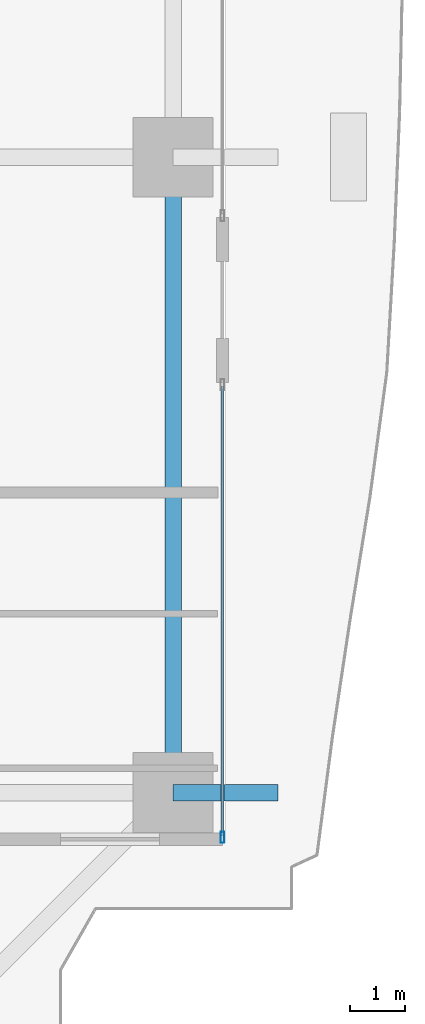
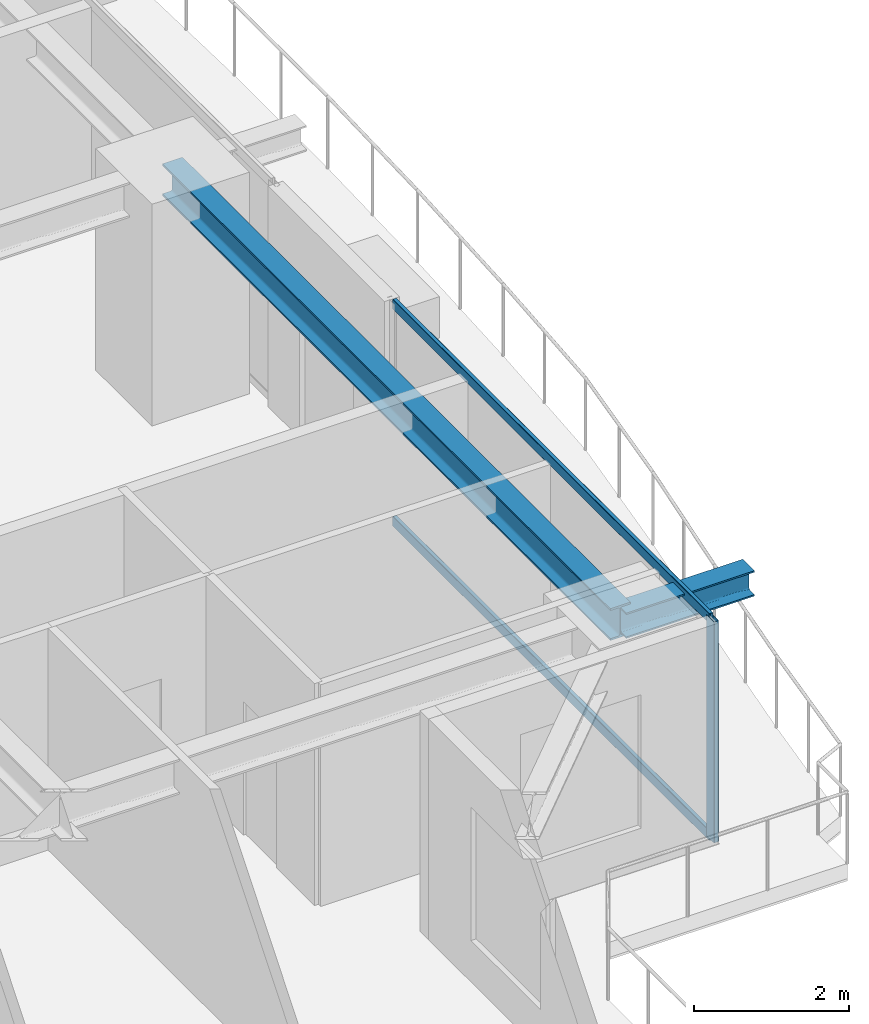
# One storey, part 12 of 38: 3 members, 2 beams, 1 element without a shape of its own.
"""IFC4 building model written with IfcOpenShell, lengths in metres."""

import ifcopenshell
import ifcopenshell.guid

model = None  # the IFC model being written
_history = None  # IfcOwnerHistory: only IFC2X3 demands one
_inside = {}  # id of a spatial element -> (the spatial element, [elements in it])
_under = {}  # id of a project, library or spatial element -> (it, [spatial elements below it])
_declared = {}  # id of a project -> (the project, [libraries it declares])
_typed = {}  # id of a type object -> (the type object, [elements of that type])
_made_of = {}  # id of a material, layer set ... -> (it, [elements and type objects made of it])


def new_model(schema):
    """Start an empty IFC model of exactly this schema.

    Asked for "IFC4X3", IfcOpenShell would pick the latest addendum, in which some entities
    have other attributes; the version numbers below select the first issue.
    IFC2X3 requires an IfcOwnerHistory on every rooted entity: one is made here for all.
    """
    global model, _history
    if schema == "IFC4X3":
        model = ifcopenshell.file(schema_version=(4, 3, 0, 0))
    else:
        model = ifcopenshell.file(schema=schema)
    _inside.clear()
    _under.clear()
    _declared.clear()
    _typed.clear()
    _made_of.clear()
    _history = None
    if model.schema == "IFC2X3":
        org = make("IfcOrganization", Name="unknown")
        user = make(
            "IfcPersonAndOrganization",
            ThePerson=make("IfcPerson", FamilyName="unknown"),
            TheOrganization=org,
        )
        app = make(
            "IfcApplication",
            ApplicationDeveloper=org,
            Version="unknown",
            ApplicationFullName="unknown",
            ApplicationIdentifier="unknown",
        )
        _history = make(
            "IfcOwnerHistory",
            OwningUser=user,
            OwningApplication=app,
            ChangeAction="ADDED",
            CreationDate=0,
        )
    return model


def make(cls, **values):
    """One entity of the class cls with the attributes given. An attribute that is None is left unset."""
    return model.create_entity(
        cls, **{name: value for name, value in values.items() if value is not None}
    )


def rooted(cls, **values):
    """An entity with a GlobalId (a new one), such as an element, a storey or a relation."""
    return make(cls, GlobalId=ifcopenshell.guid.new(), OwnerHistory=_history, **values)


def si_unit(unit_type, name, prefix=None):
    """IfcSIUnit, for example si_unit("LENGTHUNIT", "METRE", prefix="MILLI")."""
    return make("IfcSIUnit", UnitType=unit_type, Prefix=prefix, Name=name)


def assignment(units):
    """IfcUnitAssignment: the units of a project."""
    return None if units is None else make("IfcUnitAssignment", Units=units)


def point(xyz):
    """IfcCartesianPoint."""
    return None if xyz is None else make("IfcCartesianPoint", Coordinates=xyz)


def direction(xyz):
    """IfcDirection."""
    return None if xyz is None else make("IfcDirection", DirectionRatios=xyz)


def frame(location, z_axis=None, x_axis=None):
    """IfcAxis2Placement3D, a coordinate frame: its origin and axes. An axis left out is left unset."""
    return make(
        "IfcAxis2Placement3D",
        Location=point(location),
        Axis=direction(z_axis),
        RefDirection=direction(x_axis),
    )


def frame_2d(location, x_axis=None):
    """IfcAxis2Placement2D, a coordinate frame in the plane: its origin and x axis."""
    return make(
        "IfcAxis2Placement2D", Location=point(location), RefDirection=direction(x_axis)
    )


def origin():
    """The frame at (0, 0, 0) with its axes left unset."""
    return frame((0.0, 0.0, 0.0))


def origin_2d():
    """The frame at (0, 0) in the plane with its x axis left unset."""
    return frame_2d((0.0, 0.0))


def place(relative_to, where):
    """IfcLocalPlacement: puts the frame where relative to a parent placement (None: the world)."""
    return make(
        "IfcLocalPlacement", PlacementRelTo=relative_to, RelativePlacement=where
    )


def context(
    kind, dimensions, precision=None, world=None, true_north=None, identifier=None
):
    """IfcGeometricRepresentationContext, for example the 3D "Model" context."""
    return make(
        "IfcGeometricRepresentationContext",
        ContextIdentifier=identifier,
        ContextType=kind,
        CoordinateSpaceDimension=dimensions,
        Precision=precision,
        WorldCoordinateSystem=world,
        TrueNorth=true_north,
    )


def subcontext(parent, identifier, kind, view, scale=None):
    """IfcGeometricRepresentationSubContext, for example "Body" below "Model"."""
    return make(
        "IfcGeometricRepresentationSubContext",
        ContextIdentifier=identifier,
        ContextType=kind,
        ParentContext=parent,
        TargetScale=scale,
        TargetView=view,
    )


def project(units=None, contexts=None):
    """IfcProject with its units and contexts."""
    return rooted(
        "IfcProject",
        Name="project",
        RepresentationContexts=contexts,
        UnitsInContext=assignment(units),
    )


def spatial(cls, under=None, at=None, **own):
    """A site, building, storey or space (cls), placed at a placement, below another one or the project."""
    s = rooted(cls, ObjectPlacement=at, **own)
    if under is not None:
        _under.setdefault(under.id(), (under, []))[1].append(s)
    return s


def profile(cls, at=None, kind="AREA", **sizes):
    """A parametric profile (cls). Its sizes go by their IFC names, for example OverallWidth=200.0."""
    return make(cls, ProfileType=kind, Position=at, **sizes)


def hollow_rectangle(**sizes):
    """IfcRectangleHollowProfileDef."""
    return profile("IfcRectangleHollowProfileDef", **sizes)


def i_section(**sizes):
    """IfcIShapeProfileDef."""
    return profile("IfcIShapeProfileDef", **sizes)


def extrude(swept, where, along, depth):
    """IfcExtrudedAreaSolid: the profile swept, set in the frame where, extruded along a direction by depth."""
    return make(
        "IfcExtrudedAreaSolid",
        SweptArea=swept,
        Position=where,
        ExtrudedDirection=direction(along),
        Depth=depth,
    )


def shape(context_of_items, identifier, shape_type, items):
    """IfcShapeRepresentation: the items that make up one representation, for example the "Body"."""
    return make(
        "IfcShapeRepresentation",
        ContextOfItems=context_of_items,
        RepresentationIdentifier=identifier,
        RepresentationType=shape_type,
        Items=items,
    )


def source(mapping_origin, context_of_items, identifier, shape_type, items):
    """IfcRepresentationMap: a shape defined once, which mapped items show again and again."""
    return make(
        "IfcRepresentationMap",
        MappingOrigin=mapping_origin,
        MappedRepresentation=shape(context_of_items, identifier, shape_type, items),
    )


def transform(
    local_origin,
    x_axis=None,
    y_axis=None,
    z_axis=None,
    scale=None,
    scale2=None,
    scale3=None,
    uniform=True,
):
    """IfcCartesianTransformationOperator3D, or its non-uniform kind. x_axis, y_axis, z_axis: its Axis1, 2, 3."""
    if uniform:
        return make(
            "IfcCartesianTransformationOperator3D",
            Axis1=direction(x_axis),
            Axis2=direction(y_axis),
            LocalOrigin=point(local_origin),
            Scale=scale,
            Axis3=direction(z_axis),
        )
    return make(
        "IfcCartesianTransformationOperator3DnonUniform",
        Axis1=direction(x_axis),
        Axis2=direction(y_axis),
        LocalOrigin=point(local_origin),
        Scale=scale,
        Axis3=direction(z_axis),
        Scale2=scale2,
        Scale3=scale3,
    )


def mapped(mapping_source, mapping_target):
    """IfcMappedItem: shows the shape of a source again, moved by a transform."""
    return make(
        "IfcMappedItem", MappingSource=mapping_source, MappingTarget=mapping_target
    )


def material(Name=None, Category=None):
    """IfcMaterial."""
    return make("IfcMaterial", Name=Name, Category=Category)


def layer(
    of_material, thickness, ventilated=None, Name=None, Category=None, Priority=None
):
    """IfcMaterialLayer: one layer of a wall or slab, of a material (None: an air gap)."""
    return make(
        "IfcMaterialLayer",
        Material=of_material,
        LayerThickness=thickness,
        IsVentilated=ventilated,
        Name=Name,
        Category=Category,
        Priority=Priority,
    )


def layer_set(layers, Name=None):
    """IfcMaterialLayerSet."""
    return make("IfcMaterialLayerSet", MaterialLayers=layers, LayerSetName=Name)


def material_profile(
    of_material, cross_section, Name=None, Category=None, Priority=None
):
    """IfcMaterialProfile: a cross section and its material."""
    return make(
        "IfcMaterialProfile",
        Name=Name,
        Material=of_material,
        Profile=cross_section,
        Priority=Priority,
        Category=Category,
    )


def profile_set(profiles, Name=None, composite=None):
    """IfcMaterialProfileSet."""
    return make(
        "IfcMaterialProfileSet",
        Name=Name,
        MaterialProfiles=profiles,
        CompositeProfile=composite,
    )


def made_of(thing, what):
    """Note that an element or type object is made of a material, layer set ...; save() writes the relation."""
    if what is not None:
        _made_of.setdefault(what.id(), (what, []))[1].append(thing)
    return thing


def type_object(cls, material=None, **own):
    """A type object (cls), such as IfcWallType, which elements share."""
    return made_of(rooted(cls, **own), material)


def element(
    cls,
    number,
    at=None,
    inside=None,
    cuts=None,
    type_object=None,
    material=None,
    context=None,
    identifier="Body",
    shape_type=None,
    held_by="IfcProductDefinitionShape",
    body=None,
    shapes=None,
    **own,
):
    """One element of the class cls, such as IfcWall. Its Tag is "e" and its number.

    at: its placement. inside: the storey or other place that contains it. cuts: it is an
    opening in that element (IfcRelVoidsElement). A single representation is given by context,
    identifier, shape_type and body (its items); several are given by shapes. held_by: the class
    of the entity that holds the representations. save() writes the other relations.
    """
    e = rooted(cls, Tag="e%d" % number, ObjectPlacement=at, **own)
    if body is not None:
        shapes = [shape(context, identifier, shape_type, body)]
    if shapes is not None:
        e.Representation = make(held_by, Representations=shapes)
    if inside is not None:
        _inside.setdefault(inside.id(), (inside, []))[1].append(e)
    if cuts is not None:
        rooted(
            "IfcRelVoidsElement", RelatingBuildingElement=cuts, RelatedOpeningElement=e
        )
    if type_object is not None:
        _typed.setdefault(type_object.id(), (type_object, []))[1].append(e)
    return made_of(e, material)


def aggregate(whole, parts):
    """IfcRelAggregates: a whole, such as a stair, and the parts it consists of."""
    return rooted("IfcRelAggregates", RelatingObject=whole, RelatedObjects=parts)


def save(model, path):
    """Write the relations noted so far, then the file.

    IfcRelAggregates (storeys below a building ...), IfcRelContainedInSpatialStructure (elements
    in a storey), IfcRelDefinesByType, IfcRelAssociatesMaterial and IfcRelDeclares: one each for
    every whole, place, type object, material and project.
    """
    for whole, parts in _under.values():
        aggregate(whole, parts)
    for where, things in _inside.values():
        rooted(
            "IfcRelContainedInSpatialStructure",
            RelatedElements=things,
            RelatingStructure=where,
        )
    for kind, things in _typed.values():
        rooted("IfcRelDefinesByType", RelatedObjects=things, RelatingType=kind)
    for what, things in _made_of.values():
        rooted("IfcRelAssociatesMaterial", RelatedObjects=things, RelatingMaterial=what)
    for by, libraries in _declared.values():
        rooted("IfcRelDeclares", RelatingContext=by, RelatedDefinitions=libraries)
    model.write(path)


model = new_model("IFC4")

# Units and contexts
model_context = context("Model", 3, precision=1e-05, world=origin(), true_north=direction((0.0, 1.0)))
body_context = subcontext(model_context, "Body", "Model", "MODEL_VIEW")
ifc_project = project(units=[si_unit("LENGTHUNIT", "METRE"), si_unit("AREAUNIT", "SQUARE_METRE"), si_unit("VOLUMEUNIT", "CUBIC_METRE"), si_unit("PLANEANGLEUNIT", "RADIAN"), si_unit("MASSUNIT", "GRAM", prefix="KILO")], contexts=[model_context])

# Site, building, storey
site_placement = place(None, origin())
site = spatial("IfcSite", under=ifc_project, at=site_placement, CompositionType="ELEMENT")
building_placement = place(site_placement, origin())
building = spatial("IfcBuilding", under=site, at=building_placement, Name="Serunith Strait Residences", CompositionType="ELEMENT")
storey_placement = place(building_placement, frame((0.0, 0.0, 37.949951171875)))
storey = spatial("IfcBuildingStorey", under=building, at=storey_placement, Name="L08", CompositionType="ELEMENT", Elevation=37.949951171875)

# Beams
ifc_material_1 = material(Name="Steel S355J2", Category="steel")
ifc_material_profile_1 = material_profile(ifc_material_1, i_section(OverallWidth=0.300048828125, OverallDepth=0.5, WebThickness=0.014404296875, FlangeThickness=0.028076171875, FilletRadius=0.027099609375, at=origin_2d()), Name="HEB 500")
ifc_profile_set_1 = profile_set([ifc_material_profile_1], Name="Steel S355J2")
beam_type_1 = type_object("IfcBeamType", Name="BM-HEB500", PredefinedType="BEAM", material=ifc_profile_set_1)
shared_shape_1 = source(origin(), body_context, "Body", "SweptSolid", [
    extrude(i_section(OverallWidth=0.300048828125, OverallDepth=0.5, WebThickness=0.014404296875, FlangeThickness=0.028076171875, FilletRadius=0.027099609375, at=origin_2d()), origin(), (0.0, 0.0, 1.0), 11.550048828125),
])
beam_1_placement = place(storey_placement, frame((57.89990234375, 9.449951171875, 3.237060546875), z_axis=(0.0, 1.0, 0.0), x_axis=(-1.0, 0.0, 0.0)))
element("IfcBeam", 1, at=beam_1_placement, inside=storey, type_object=beam_type_1, Name="L08 Perimeter Ring Beam 05", PredefinedType="BEAM", context=body_context, shape_type="MappedRepresentation", body=[
    mapped(shared_shape_1, transform((0.0, 0.0, 0.0), scale=1.0)),
])
ifc_material_profile_2 = material_profile(ifc_material_1, i_section(OverallWidth=0.300048828125, OverallDepth=0.39990234375, WebThickness=0.013427734375, FlangeThickness=0.02392578125, FilletRadius=0.027099609375, at=origin_2d()), Name="HEB 400")
ifc_profile_set_2 = profile_set([ifc_material_profile_2], Name="Steel S355J2")
beam_type_2 = type_object("IfcBeamType", Name="BM-HEB400", PredefinedType="BEAM", material=ifc_profile_set_2)
shared_shape_2 = source(origin(), body_context, "Body", "SweptSolid", [
    extrude(i_section(OverallWidth=0.300048828125, OverallDepth=0.39990234375, WebThickness=0.013427734375, FlangeThickness=0.02392578125, FilletRadius=0.027099609375, at=origin_2d()), origin(), (0.0, 0.0, 1.0), 1.91015625),
])
beam_2_placement = place(storey_placement, frame((57.89990234375, 9.449951171875, 3.257080078125), z_axis=(1.0, 0.0, 0.0), x_axis=(0.0, 1.0, 0.0)))
element("IfcBeam", 2, at=beam_2_placement, inside=storey, type_object=beam_type_2, Name="L09 Cantilevered Balcony Rib TC-E1", PredefinedType="BEAM", context=body_context, shape_type="MappedRepresentation", body=[
    mapped(shared_shape_2, transform((0.0, 0.0, 0.0), scale=1.0)),
])

# Curtain wall, members
ifc_material_2 = material(Name="Pale-Champagne Anodised Aluminium", Category="aluminium")
ifc_layer = layer(ifc_material_2, 0.199951171875, Name="Pale-Champagne Anodised Aluminium")
ifc_layer_set = layer_set([ifc_layer], Name="Pale-Champagne Anodised Aluminium")
curtain_wall_type = type_object("IfcCurtainWallType", Name="CW-SYS1", PredefinedType="NOTDEFINED", material=ifc_layer_set)
curtain_wall_placement = place(storey_placement, origin())
curtain_wall = element("IfcCurtainWall", 3, at=curtain_wall_placement, inside=storey, type_object=curtain_wall_type, Name="L08 E Unitised Fritted Curtain Wall", PredefinedType="NOTDEFINED")
ifc_material_profile_3 = material_profile(ifc_material_2, hollow_rectangle(XDim=0.070068359375, YDim=0.199951171875, WallThickness=0.00390625, InnerFilletRadius=0.006103515625, OuterFilletRadius=0.010009765625, at=origin_2d()), Name="ALU 200x70x4")
ifc_profile_set_3 = profile_set([ifc_material_profile_3], Name="Pale-Champagne Anodised Aluminium")
member_type_1 = type_object("IfcMemberType", Name="CW-SYS1-MULL", PredefinedType="MULLION", material=ifc_profile_set_3)
shared_shape_3 = source(origin(), body_context, "Body", "SweptSolid", [
    extrude(hollow_rectangle(XDim=0.070068359375, YDim=0.199951171875, WallThickness=0.00390625, InnerFilletRadius=0.006103515625, OuterFilletRadius=0.010009765625, at=origin_2d()), origin(), (0.0, 0.0, 1.0), 3.47509765625),
])
member_1_placement = place(storey_placement, frame((58.800048828125, 8.635009765625, 0.0), z_axis=(0.0, 0.0, 1.0), x_axis=(-1.0, 0.0, 0.0)))
member_1 = element("IfcMember", 4, at=member_1_placement, type_object=member_type_1, Name="CW-1 mullion 1", PredefinedType="MULLION", context=body_context, shape_type="MappedRepresentation", body=[
    mapped(shared_shape_3, transform((0.0, 0.0, 0.0), scale=1.0)),
])
ifc_material_profile_4 = material_profile(ifc_material_2, hollow_rectangle(XDim=0.06005859375, YDim=0.159912109375, WallThickness=0.00341796875, InnerFilletRadius=0.00537109375, OuterFilletRadius=0.0087890625, at=origin_2d()), Name="ALU 160x60x3.5")
ifc_profile_set_4 = profile_set([ifc_material_profile_4], Name="Pale-Champagne Anodised Aluminium")
member_type_2 = type_object("IfcMemberType", Name="CW-SYS1-TRAN", PredefinedType="USERDEFINED", material=ifc_profile_set_4)
shared_shape_4 = source(origin(), body_context, "Body", "SweptSolid", [
    extrude(hollow_rectangle(XDim=0.06005859375, YDim=0.159912109375, WallThickness=0.00341796875, InnerFilletRadius=0.00537109375, OuterFilletRadius=0.0087890625, at=origin_2d()), origin(), (0.0, 0.0, 1.0), 8.16015625),
])
member_2_placement = place(storey_placement, frame((58.800048828125, 8.669921875, 0.030029296875), z_axis=(0.0, 1.0, 0.0), x_axis=(-1.0, 0.0, 0.0)))
member_2 = element("IfcMember", 5, at=member_2_placement, type_object=member_type_2, Name="CW-1 transom 1.1", ObjectType="TRANSOM", PredefinedType="USERDEFINED", context=body_context, shape_type="MappedRepresentation", body=[
    mapped(shared_shape_4, transform((0.0, 0.0, 0.0), scale=1.0)),
])
member_3_placement = place(storey_placement, frame((58.800048828125, 8.669921875, 3.445068359375), z_axis=(0.0, 1.0, 0.0), x_axis=(-1.0, 0.0, 0.0)))
member_3 = element("IfcMember", 6, at=member_3_placement, type_object=member_type_2, Name="CW-1 transom 1.2", ObjectType="TRANSOM", PredefinedType="USERDEFINED", context=body_context, shape_type="MappedRepresentation", body=[
    mapped(shared_shape_4, transform((0.0, 0.0, 0.0), scale=1.0)),
])
aggregate(curtain_wall, [member_1, member_2, member_3])

save(model, "model.ifc")
